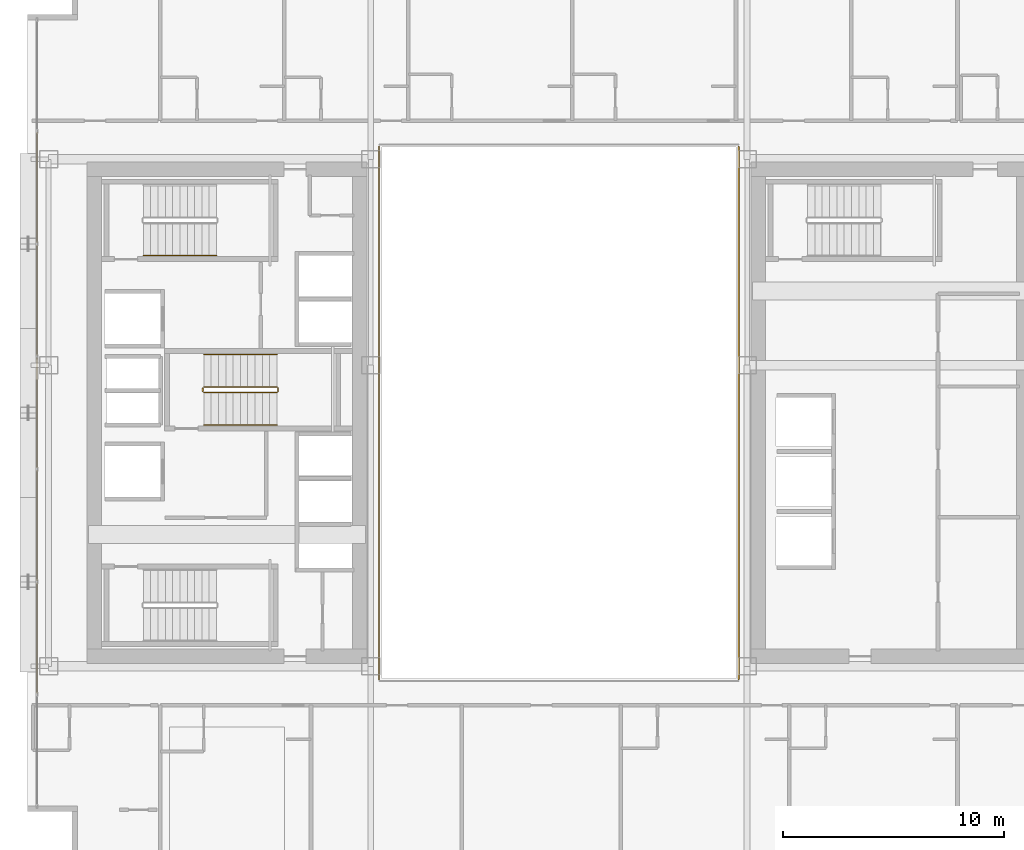
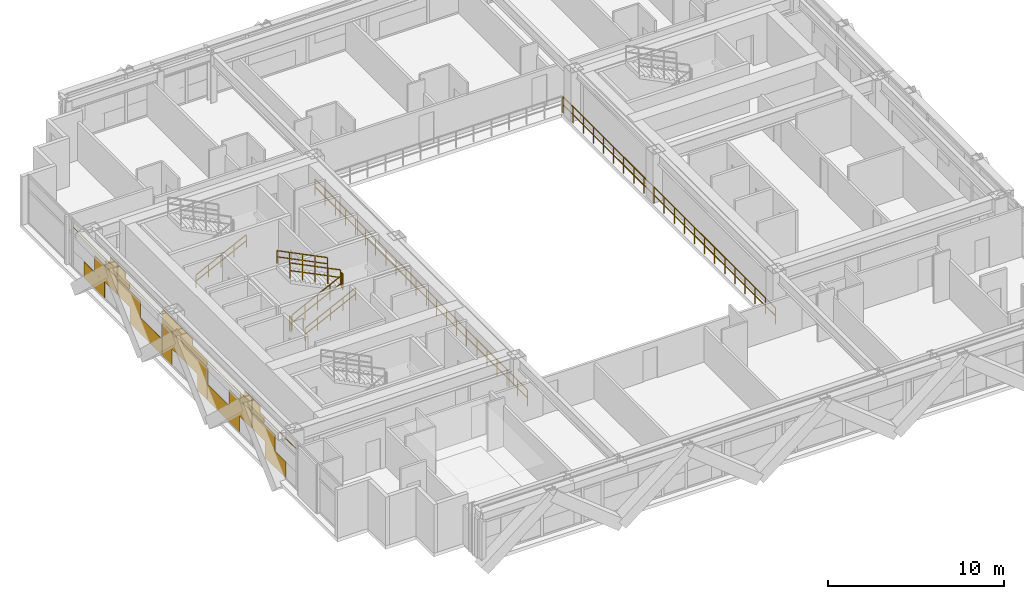
# One storey, part 33 of 35: 9 railings, 1 covering.
"""IFC4 building model written with IfcOpenShell, lengths in metres."""

import ifcopenshell
import ifcopenshell.guid

model = None  # the IFC model being written
_history = None  # IfcOwnerHistory: only IFC2X3 demands one
_inside = {}  # id of a spatial element -> (the spatial element, [elements in it])
_under = {}  # id of a project, library or spatial element -> (it, [spatial elements below it])
_declared = {}  # id of a project -> (the project, [libraries it declares])
_typed = {}  # id of a type object -> (the type object, [elements of that type])
_made_of = {}  # id of a material, layer set ... -> (it, [elements and type objects made of it])


def new_model(schema):
    """Start an empty IFC model of exactly this schema.

    Asked for "IFC4X3", IfcOpenShell would pick the latest addendum, in which some entities
    have other attributes; the version numbers below select the first issue.
    IFC2X3 requires an IfcOwnerHistory on every rooted entity: one is made here for all.
    """
    global model, _history
    if schema == "IFC4X3":
        model = ifcopenshell.file(schema_version=(4, 3, 0, 0))
    else:
        model = ifcopenshell.file(schema=schema)
    _inside.clear()
    _under.clear()
    _declared.clear()
    _typed.clear()
    _made_of.clear()
    _history = None
    if model.schema == "IFC2X3":
        org = make("IfcOrganization", Name="unknown")
        user = make(
            "IfcPersonAndOrganization",
            ThePerson=make("IfcPerson", FamilyName="unknown"),
            TheOrganization=org,
        )
        app = make(
            "IfcApplication",
            ApplicationDeveloper=org,
            Version="unknown",
            ApplicationFullName="unknown",
            ApplicationIdentifier="unknown",
        )
        _history = make(
            "IfcOwnerHistory",
            OwningUser=user,
            OwningApplication=app,
            ChangeAction="ADDED",
            CreationDate=0,
        )
    return model


def make(cls, **values):
    """One entity of the class cls with the attributes given. An attribute that is None is left unset."""
    return model.create_entity(
        cls, **{name: value for name, value in values.items() if value is not None}
    )


def rooted(cls, **values):
    """An entity with a GlobalId (a new one), such as an element, a storey or a relation."""
    return make(cls, GlobalId=ifcopenshell.guid.new(), OwnerHistory=_history, **values)


def si_unit(unit_type, name, prefix=None):
    """IfcSIUnit, for example si_unit("LENGTHUNIT", "METRE", prefix="MILLI")."""
    return make("IfcSIUnit", UnitType=unit_type, Prefix=prefix, Name=name)


def assignment(units):
    """IfcUnitAssignment: the units of a project."""
    return None if units is None else make("IfcUnitAssignment", Units=units)


def point(xyz):
    """IfcCartesianPoint."""
    return None if xyz is None else make("IfcCartesianPoint", Coordinates=xyz)


def direction(xyz):
    """IfcDirection."""
    return None if xyz is None else make("IfcDirection", DirectionRatios=xyz)


def frame(location, z_axis=None, x_axis=None):
    """IfcAxis2Placement3D, a coordinate frame: its origin and axes. An axis left out is left unset."""
    return make(
        "IfcAxis2Placement3D",
        Location=point(location),
        Axis=direction(z_axis),
        RefDirection=direction(x_axis),
    )


def frame_2d(location, x_axis=None):
    """IfcAxis2Placement2D, a coordinate frame in the plane: its origin and x axis."""
    return make(
        "IfcAxis2Placement2D", Location=point(location), RefDirection=direction(x_axis)
    )


def origin():
    """The frame at (0, 0, 0) with its axes left unset."""
    return frame((0.0, 0.0, 0.0))


def origin_2d():
    """The frame at (0, 0) in the plane with its x axis left unset."""
    return frame_2d((0.0, 0.0))


def place(relative_to, where):
    """IfcLocalPlacement: puts the frame where relative to a parent placement (None: the world)."""
    return make(
        "IfcLocalPlacement", PlacementRelTo=relative_to, RelativePlacement=where
    )


def context(
    kind, dimensions, precision=None, world=None, true_north=None, identifier=None
):
    """IfcGeometricRepresentationContext, for example the 3D "Model" context."""
    return make(
        "IfcGeometricRepresentationContext",
        ContextIdentifier=identifier,
        ContextType=kind,
        CoordinateSpaceDimension=dimensions,
        Precision=precision,
        WorldCoordinateSystem=world,
        TrueNorth=true_north,
    )


def subcontext(parent, identifier, kind, view, scale=None):
    """IfcGeometricRepresentationSubContext, for example "Body" below "Model"."""
    return make(
        "IfcGeometricRepresentationSubContext",
        ContextIdentifier=identifier,
        ContextType=kind,
        ParentContext=parent,
        TargetScale=scale,
        TargetView=view,
    )


def project(units=None, contexts=None):
    """IfcProject with its units and contexts."""
    return rooted(
        "IfcProject",
        Name="project",
        RepresentationContexts=contexts,
        UnitsInContext=assignment(units),
    )


def spatial(cls, under=None, at=None, **own):
    """A site, building, storey or space (cls), placed at a placement, below another one or the project."""
    s = rooted(cls, ObjectPlacement=at, **own)
    if under is not None:
        _under.setdefault(under.id(), (under, []))[1].append(s)
    return s


def profile(cls, at=None, kind="AREA", **sizes):
    """A parametric profile (cls). Its sizes go by their IFC names, for example OverallWidth=200.0."""
    return make(cls, ProfileType=kind, Position=at, **sizes)


def rectangle(**sizes):
    """IfcRectangleProfileDef."""
    return profile("IfcRectangleProfileDef", **sizes)


def extrude(swept, where, along, depth):
    """IfcExtrudedAreaSolid: the profile swept, set in the frame where, extruded along a direction by depth."""
    return make(
        "IfcExtrudedAreaSolid",
        SweptArea=swept,
        Position=where,
        ExtrudedDirection=direction(along),
        Depth=depth,
    )


def shape(context_of_items, identifier, shape_type, items):
    """IfcShapeRepresentation: the items that make up one representation, for example the "Body"."""
    return make(
        "IfcShapeRepresentation",
        ContextOfItems=context_of_items,
        RepresentationIdentifier=identifier,
        RepresentationType=shape_type,
        Items=items,
    )


def material(Name=None, Category=None):
    """IfcMaterial."""
    return make("IfcMaterial", Name=Name, Category=Category)


def layer(
    of_material, thickness, ventilated=None, Name=None, Category=None, Priority=None
):
    """IfcMaterialLayer: one layer of a wall or slab, of a material (None: an air gap)."""
    return make(
        "IfcMaterialLayer",
        Material=of_material,
        LayerThickness=thickness,
        IsVentilated=ventilated,
        Name=Name,
        Category=Category,
        Priority=Priority,
    )


def layer_set(layers, Name=None):
    """IfcMaterialLayerSet."""
    return make("IfcMaterialLayerSet", MaterialLayers=layers, LayerSetName=Name)


def made_of(thing, what):
    """Note that an element or type object is made of a material, layer set ...; save() writes the relation."""
    if what is not None:
        _made_of.setdefault(what.id(), (what, []))[1].append(thing)
    return thing


def type_object(cls, material=None, **own):
    """A type object (cls), such as IfcWallType, which elements share."""
    return made_of(rooted(cls, **own), material)


def element(
    cls,
    number,
    at=None,
    inside=None,
    cuts=None,
    type_object=None,
    material=None,
    context=None,
    identifier="Body",
    shape_type=None,
    held_by="IfcProductDefinitionShape",
    body=None,
    shapes=None,
    **own,
):
    """One element of the class cls, such as IfcWall. Its Tag is "e" and its number.

    at: its placement. inside: the storey or other place that contains it. cuts: it is an
    opening in that element (IfcRelVoidsElement). A single representation is given by context,
    identifier, shape_type and body (its items); several are given by shapes. held_by: the class
    of the entity that holds the representations. save() writes the other relations.
    """
    e = rooted(cls, Tag="e%d" % number, ObjectPlacement=at, **own)
    if body is not None:
        shapes = [shape(context, identifier, shape_type, body)]
    if shapes is not None:
        e.Representation = make(held_by, Representations=shapes)
    if inside is not None:
        _inside.setdefault(inside.id(), (inside, []))[1].append(e)
    if cuts is not None:
        rooted(
            "IfcRelVoidsElement", RelatingBuildingElement=cuts, RelatedOpeningElement=e
        )
    if type_object is not None:
        _typed.setdefault(type_object.id(), (type_object, []))[1].append(e)
    return made_of(e, material)


def aggregate(whole, parts):
    """IfcRelAggregates: a whole, such as a stair, and the parts it consists of."""
    return rooted("IfcRelAggregates", RelatingObject=whole, RelatedObjects=parts)


def save(model, path):
    """Write the relations noted so far, then the file.

    IfcRelAggregates (storeys below a building ...), IfcRelContainedInSpatialStructure (elements
    in a storey), IfcRelDefinesByType, IfcRelAssociatesMaterial and IfcRelDeclares: one each for
    every whole, place, type object, material and project.
    """
    for whole, parts in _under.values():
        aggregate(whole, parts)
    for where, things in _inside.values():
        rooted(
            "IfcRelContainedInSpatialStructure",
            RelatedElements=things,
            RelatingStructure=where,
        )
    for kind, things in _typed.values():
        rooted("IfcRelDefinesByType", RelatedObjects=things, RelatingType=kind)
    for what, things in _made_of.values():
        rooted("IfcRelAssociatesMaterial", RelatedObjects=things, RelatingMaterial=what)
    for by, libraries in _declared.values():
        rooted("IfcRelDeclares", RelatingContext=by, RelatedDefinitions=libraries)
    model.write(path)


model = new_model("IFC4")

# Units and contexts
model_context = context("Model", 3, precision=1e-05, world=origin(), true_north=direction((0.0, 1.0)))
body_context = subcontext(model_context, "Body", "Model", "MODEL_VIEW")
ifc_project = project(units=[si_unit("LENGTHUNIT", "METRE"), si_unit("AREAUNIT", "SQUARE_METRE"), si_unit("VOLUMEUNIT", "CUBIC_METRE"), si_unit("PLANEANGLEUNIT", "RADIAN"), si_unit("MASSUNIT", "GRAM", prefix="KILO")], contexts=[model_context])

# Site, building, storey
site_placement = place(None, origin())
site = spatial("IfcSite", under=ifc_project, at=site_placement, CompositionType="ELEMENT")
building_placement = place(site_placement, origin())
building = spatial("IfcBuilding", under=site, at=building_placement, Name="Ocotamira Hotel", CompositionType="ELEMENT")
storey_placement = place(building_placement, frame((0.0, 0.0, 140.39990234375)))
storey = spatial("IfcBuildingStorey", under=building, at=storey_placement, Name="L35", CompositionType="ELEMENT", Elevation=140.39990234375)

# Covering
ifc_material_1 = material(Name="Insulated pale-metal aluminium spandrel panel", Category="aluminium")
ifc_layer = layer(ifc_material_1, 0.044921875)
ifc_layer_set = layer_set([ifc_layer], Name="Insulated pale-metal aluminium spandrel panel")
covering_type = type_object("IfcCoveringType", Name="COV-INFILL-45", PredefinedType="CLADDING", material=ifc_layer_set)
covering_placement = place(storey_placement, origin())
element("IfcCovering", 1, at=covering_placement, inside=storey, type_object=covering_type, Name="L35 Curtain Wall Infill CW-3 CW-L35-W", PredefinedType="CLADDING", context=body_context, shape_type="SweptSolid", body=[
    extrude(rectangle(XDim=2.35107421875, YDim=0.044921875, at=origin_2d()), frame((8.419921875, 15.741943359375, 0.07568359375), z_axis=(0.0, 0.0, 1.0), x_axis=(0.0, 1.0, 0.0)), (0.0, 0.0, 1.0), 1.117919921875),
    extrude(rectangle(XDim=2.578369140625, YDim=0.044921875, at=origin_2d()), frame((8.419921875, 17.041748046875, 1.1943359375), z_axis=(0.0, 0.0, 1.0), x_axis=(0.0, 1.0, 0.0)), (0.0, 0.0, 1.0), 1.117919921875),
    extrude(rectangle(XDim=5.004638671875, YDim=0.044921875, at=origin_2d()), frame((8.419921875, 15.82861328125, 2.802490234375), z_axis=(0.0, 0.0, 1.0), x_axis=(0.0, 1.0, 0.0)), (0.0, 0.0, 1.0), 0.033203125),
    extrude(rectangle(XDim=1.312744140625, YDim=0.044921875, at=origin_2d()), frame((8.419921875, 17.674560546875, 2.38818359375), z_axis=(0.0, 0.0, 1.0), x_axis=(0.0, 1.0, 0.0)), (0.0, 0.0, 1.0), 0.413330078125),
    extrude(rectangle(XDim=0.837158203125, YDim=0.044921875, at=origin_2d()), frame((8.419921875, 17.912353515625, 2.8369140625), z_axis=(0.0, 0.0, 1.0), x_axis=(0.0, 1.0, 0.0)), (0.0, 0.0, 1.0), 0.44775390625),
    extrude(rectangle(XDim=2.568603515625, YDim=0.044921875, at=origin_2d()), frame((8.419921875, 19.6962890625, 1.1943359375), z_axis=(0.0, 0.0, 1.0), x_axis=(0.0, 1.0, 0.0)), (0.0, 0.0, 1.0), 1.117919921875),
    extrude(rectangle(XDim=3.600830078125, YDim=0.044921875, at=origin_2d()), frame((8.419921875, 21.6162109375, 0.07568359375), z_axis=(0.0, 0.0, 1.0), x_axis=(0.0, 1.0, 0.0)), (0.0, 0.0, 1.0), 1.117919921875),
    extrude(rectangle(XDim=0.03076171875, YDim=0.044921875, at=origin_2d()), frame((8.419921875, 23.4013671875, 1.1943359375), z_axis=(0.0, 0.0, 1.0), x_axis=(0.0, 1.0, 0.0)), (0.0, 0.0, 1.0), 1.117919921875),
    extrude(rectangle(XDim=1.302978515625, YDim=0.044921875, at=origin_2d()), frame((8.419921875, 19.0634765625, 2.38818359375), z_axis=(0.0, 0.0, 1.0), x_axis=(0.0, 1.0, 0.0)), (0.0, 0.0, 1.0), 0.413330078125),
    extrude(rectangle(XDim=5.004638671875, YDim=0.044921875, at=origin_2d()), frame((8.419921875, 20.914306640625, 2.802490234375), z_axis=(0.0, 0.0, 1.0), x_axis=(0.0, 1.0, 0.0)), (0.0, 0.0, 1.0), 0.033203125),
    extrude(rectangle(XDim=0.827392578125, YDim=0.044921875, at=origin_2d()), frame((8.419921875, 18.82568359375, 2.8369140625), z_axis=(0.0, 0.0, 1.0), x_axis=(0.0, 1.0, 0.0)), (0.0, 0.0, 1.0), 0.44775390625),
    extrude(rectangle(XDim=1.05322265625, YDim=0.044921875, at=origin_2d()), frame((8.419921875, 24.0244140625, 0.07568359375), z_axis=(0.0, 0.0, 1.0), x_axis=(0.0, 1.0, 0.0)), (0.0, 0.0, 1.0), 1.117919921875),
    extrude(rectangle(XDim=5.004638671875, YDim=0.044921875, at=origin_2d()), frame((8.419921875, 26.0, 1.1943359375), z_axis=(0.0, 0.0, 1.0), x_axis=(0.0, 1.0, 0.0)), (0.0, 0.0, 1.0), 1.117919921875),
    extrude(rectangle(XDim=1.05322265625, YDim=0.044921875, at=origin_2d()), frame((8.419921875, 27.9755859375, 0.07568359375), z_axis=(0.0, 0.0, 1.0), x_axis=(0.0, 1.0, 0.0)), (0.0, 0.0, 1.0), 1.117919921875),
    extrude(rectangle(XDim=5.004638671875, YDim=0.044921875, at=origin_2d()), frame((8.419921875, 26.0, 2.387939453125), z_axis=(0.0, 0.0, 1.0), x_axis=(0.0, 1.0, 0.0)), (0.0, 0.0, 1.0), 0.44775390625),
    extrude(rectangle(XDim=3.375, YDim=0.044921875, at=origin_2d()), frame((8.419921875, 26.814697265625, 2.8369140625), z_axis=(0.0, 0.0, 1.0), x_axis=(0.0, 1.0, 0.0)), (0.0, 0.0, 1.0), 0.44775390625),
    extrude(rectangle(XDim=3.600830078125, YDim=0.044921875, at=origin_2d()), frame((8.419921875, 30.3837890625, 0.07568359375), z_axis=(0.0, 0.0, 1.0), x_axis=(0.0, 1.0, 0.0)), (0.0, 0.0, 1.0), 1.117919921875),
    extrude(rectangle(XDim=0.03076171875, YDim=0.044921875, at=origin_2d()), frame((8.419921875, 28.5986328125, 1.1943359375), z_axis=(0.0, 0.0, 1.0), x_axis=(0.0, 1.0, 0.0)), (0.0, 0.0, 1.0), 1.117919921875),
    extrude(rectangle(XDim=2.568603515625, YDim=0.044921875, at=origin_2d()), frame((8.419921875, 32.3037109375, 1.1943359375), z_axis=(0.0, 0.0, 1.0), x_axis=(0.0, 1.0, 0.0)), (0.0, 0.0, 1.0), 1.117919921875),
    extrude(rectangle(XDim=5.004638671875, YDim=0.044921875, at=origin_2d()), frame((8.419921875, 31.085693359375, 2.802490234375), z_axis=(0.0, 0.0, 1.0), x_axis=(0.0, 1.0, 0.0)), (0.0, 0.0, 1.0), 0.033203125),
    extrude(rectangle(XDim=1.302978515625, YDim=0.044921875, at=origin_2d()), frame((8.419921875, 32.9365234375, 2.38818359375), z_axis=(0.0, 0.0, 1.0), x_axis=(0.0, 1.0, 0.0)), (0.0, 0.0, 1.0), 0.413330078125),
    extrude(rectangle(XDim=0.827392578125, YDim=0.044921875, at=origin_2d()), frame((8.419921875, 33.17431640625, 2.8369140625), z_axis=(0.0, 0.0, 1.0), x_axis=(0.0, 1.0, 0.0)), (0.0, 0.0, 1.0), 0.44775390625),
    extrude(rectangle(XDim=2.578369140625, YDim=0.044921875, at=origin_2d()), frame((8.419921875, 34.958251953125, 1.1943359375), z_axis=(0.0, 0.0, 1.0), x_axis=(0.0, 1.0, 0.0)), (0.0, 0.0, 1.0), 1.117919921875),
    extrude(rectangle(XDim=2.35107421875, YDim=0.044921875, at=origin_2d()), frame((8.419921875, 36.258056640625, 0.07568359375), z_axis=(0.0, 0.0, 1.0), x_axis=(0.0, 1.0, 0.0)), (0.0, 0.0, 1.0), 1.117919921875),
    extrude(rectangle(XDim=1.312744140625, YDim=0.044921875, at=origin_2d()), frame((8.419921875, 34.325439453125, 2.38818359375), z_axis=(0.0, 0.0, 1.0), x_axis=(0.0, 1.0, 0.0)), (0.0, 0.0, 1.0), 0.413330078125),
    extrude(rectangle(XDim=5.004638671875, YDim=0.044921875, at=origin_2d()), frame((8.419921875, 36.17138671875, 2.802490234375), z_axis=(0.0, 0.0, 1.0), x_axis=(0.0, 1.0, 0.0)), (0.0, 0.0, 1.0), 0.033203125),
    extrude(rectangle(XDim=0.837158203125, YDim=0.044921875, at=origin_2d()), frame((8.419921875, 34.087646484375, 2.8369140625), z_axis=(0.0, 0.0, 1.0), x_axis=(0.0, 1.0, 0.0)), (0.0, 0.0, 1.0), 0.44775390625),
])

# Railings
ifc_material_2 = material(Name="Painted steel stair guardrail", Category="steel")
railing_type_1 = type_object("IfcRailingType", Name="RL-EDGE-1150", PredefinedType="GUARDRAIL", material=ifc_material_2)
railing_1_placement = place(storey_placement, frame((40.1201171875, 13.9599609375, 0.0)))
element("IfcRailing", 2, at=railing_1_placement, inside=storey, type_object=railing_type_1, Name="L35 Central Atrium Edge Guardrail E", PredefinedType="GUARDRAIL", context=body_context, shape_type="SweptSolid", body=[
    extrude(rectangle(XDim=0.048095703125, YDim=0.048095703125, at=origin_2d()), frame((0.0, 0.0, 1.1259765625), z_axis=(0.0, 1.0, 0.0), x_axis=(-1.0, 0.0, 0.0)), (0.0, 0.0, 1.0), 24.080078125),
    extrude(rectangle(XDim=0.048095703125, YDim=0.048095703125, at=origin_2d()), frame((0.0, 0.0, 0.574951171875), z_axis=(0.0, 1.0, 0.0), x_axis=(-1.0, 0.0, 0.0)), (0.0, 0.0, 1.0), 24.080078125),
    extrude(rectangle(XDim=0.0419921875, YDim=0.0419921875, at=origin_2d()), origin(), (0.0, 0.0, 1.0), 1.101806640625),
    extrude(rectangle(XDim=0.0419921875, YDim=0.0419921875, at=origin_2d()), frame((0.0, 1.146728515625, 0.0)), (0.0, 0.0, 1.0), 1.101806640625),
    extrude(rectangle(XDim=0.0419921875, YDim=0.0419921875, at=origin_2d()), frame((0.0, 2.29345703125, 0.0)), (0.0, 0.0, 1.0), 1.101806640625),
    extrude(rectangle(XDim=0.0419921875, YDim=0.0419921875, at=origin_2d()), frame((0.0, 3.43994140625, 0.0)), (0.0, 0.0, 1.0), 1.101806640625),
    extrude(rectangle(XDim=0.0419921875, YDim=0.0419921875, at=origin_2d()), frame((0.0, 4.586669921875, 0.0)), (0.0, 0.0, 1.0), 1.101806640625),
    extrude(rectangle(XDim=0.0419921875, YDim=0.0419921875, at=origin_2d()), frame((0.0, 5.7333984375, 0.0)), (0.0, 0.0, 1.0), 1.101806640625),
    extrude(rectangle(XDim=0.0419921875, YDim=0.0419921875, at=origin_2d()), frame((0.0, 6.880126953125, 0.0)), (0.0, 0.0, 1.0), 1.101806640625),
    extrude(rectangle(XDim=0.0419921875, YDim=0.0419921875, at=origin_2d()), frame((0.0, 8.026611328125, 0.0)), (0.0, 0.0, 1.0), 1.101806640625),
    extrude(rectangle(XDim=0.0419921875, YDim=0.0419921875, at=origin_2d()), frame((0.0, 9.17333984375, 0.0)), (0.0, 0.0, 1.0), 1.101806640625),
    extrude(rectangle(XDim=0.0419921875, YDim=0.0419921875, at=origin_2d()), frame((0.0, 10.320068359375, 0.0)), (0.0, 0.0, 1.0), 1.101806640625),
    extrude(rectangle(XDim=0.0419921875, YDim=0.0419921875, at=origin_2d()), frame((0.0, 11.466796875, 0.0)), (0.0, 0.0, 1.0), 1.101806640625),
    extrude(rectangle(XDim=0.0419921875, YDim=0.0419921875, at=origin_2d()), frame((0.0, 12.61328125, 0.0)), (0.0, 0.0, 1.0), 1.101806640625),
    extrude(rectangle(XDim=0.0419921875, YDim=0.0419921875, at=origin_2d()), frame((0.0, 13.760009765625, 0.0)), (0.0, 0.0, 1.0), 1.101806640625),
    extrude(rectangle(XDim=0.0419921875, YDim=0.0419921875, at=origin_2d()), frame((0.0, 14.90673828125, 0.0)), (0.0, 0.0, 1.0), 1.101806640625),
    extrude(rectangle(XDim=0.0419921875, YDim=0.0419921875, at=origin_2d()), frame((0.0, 16.053466796875, 0.0)), (0.0, 0.0, 1.0), 1.101806640625),
    extrude(rectangle(XDim=0.0419921875, YDim=0.0419921875, at=origin_2d()), frame((0.0, 17.199951171875, 0.0)), (0.0, 0.0, 1.0), 1.101806640625),
    extrude(rectangle(XDim=0.0419921875, YDim=0.0419921875, at=origin_2d()), frame((0.0, 18.3466796875, 0.0)), (0.0, 0.0, 1.0), 1.101806640625),
    extrude(rectangle(XDim=0.0419921875, YDim=0.0419921875, at=origin_2d()), frame((0.0, 19.493408203125, 0.0)), (0.0, 0.0, 1.0), 1.101806640625),
    extrude(rectangle(XDim=0.0419921875, YDim=0.0419921875, at=origin_2d()), frame((0.0, 20.64013671875, 0.0)), (0.0, 0.0, 1.0), 1.101806640625),
    extrude(rectangle(XDim=0.0419921875, YDim=0.0419921875, at=origin_2d()), frame((0.0, 21.78662109375, 0.0)), (0.0, 0.0, 1.0), 1.101806640625),
    extrude(rectangle(XDim=0.0419921875, YDim=0.0419921875, at=origin_2d()), frame((0.0, 22.933349609375, 0.0)), (0.0, 0.0, 1.0), 1.101806640625),
    extrude(rectangle(XDim=0.0419921875, YDim=0.0419921875, at=origin_2d()), frame((0.0, 24.080078125, 0.0)), (0.0, 0.0, 1.0), 1.101806640625),
])
railing_2_placement = place(storey_placement, frame((23.8798828125, 38.0400390625, 0.0)))
element("IfcRailing", 3, at=railing_2_placement, inside=storey, type_object=railing_type_1, Name="L35 Central Atrium Edge Guardrail W", PredefinedType="GUARDRAIL", context=body_context, shape_type="SweptSolid", body=[
    extrude(rectangle(XDim=0.048095703125, YDim=0.048095703125, at=origin_2d()), frame((0.0, 0.0, 1.1259765625), z_axis=(0.0, -1.0, 0.0), x_axis=(1.0, 0.0, 0.0)), (0.0, 0.0, 1.0), 24.080078125),
    extrude(rectangle(XDim=0.048095703125, YDim=0.048095703125, at=origin_2d()), frame((0.0, 0.0, 0.574951171875), z_axis=(0.0, -1.0, 0.0), x_axis=(1.0, 0.0, 0.0)), (0.0, 0.0, 1.0), 24.080078125),
    extrude(rectangle(XDim=0.0419921875, YDim=0.0419921875, at=origin_2d()), origin(), (0.0, 0.0, 1.0), 1.101806640625),
    extrude(rectangle(XDim=0.0419921875, YDim=0.0419921875, at=origin_2d()), frame((0.0, -1.146728515625, 0.0)), (0.0, 0.0, 1.0), 1.101806640625),
    extrude(rectangle(XDim=0.0419921875, YDim=0.0419921875, at=origin_2d()), frame((0.0, -2.29345703125, 0.0)), (0.0, 0.0, 1.0), 1.101806640625),
    extrude(rectangle(XDim=0.0419921875, YDim=0.0419921875, at=origin_2d()), frame((0.0, -3.43994140625, 0.0)), (0.0, 0.0, 1.0), 1.101806640625),
    extrude(rectangle(XDim=0.0419921875, YDim=0.0419921875, at=origin_2d()), frame((0.0, -4.586669921875, 0.0)), (0.0, 0.0, 1.0), 1.101806640625),
    extrude(rectangle(XDim=0.0419921875, YDim=0.0419921875, at=origin_2d()), frame((0.0, -5.7333984375, 0.0)), (0.0, 0.0, 1.0), 1.101806640625),
    extrude(rectangle(XDim=0.0419921875, YDim=0.0419921875, at=origin_2d()), frame((0.0, -6.880126953125, 0.0)), (0.0, 0.0, 1.0), 1.101806640625),
    extrude(rectangle(XDim=0.0419921875, YDim=0.0419921875, at=origin_2d()), frame((0.0, -8.026611328125, 0.0)), (0.0, 0.0, 1.0), 1.101806640625),
    extrude(rectangle(XDim=0.0419921875, YDim=0.0419921875, at=origin_2d()), frame((0.0, -9.17333984375, 0.0)), (0.0, 0.0, 1.0), 1.101806640625),
    extrude(rectangle(XDim=0.0419921875, YDim=0.0419921875, at=origin_2d()), frame((0.0, -10.320068359375, 0.0)), (0.0, 0.0, 1.0), 1.101806640625),
    extrude(rectangle(XDim=0.0419921875, YDim=0.0419921875, at=origin_2d()), frame((0.0, -11.466796875, 0.0)), (0.0, 0.0, 1.0), 1.101806640625),
    extrude(rectangle(XDim=0.0419921875, YDim=0.0419921875, at=origin_2d()), frame((0.0, -12.61328125, 0.0)), (0.0, 0.0, 1.0), 1.101806640625),
    extrude(rectangle(XDim=0.0419921875, YDim=0.0419921875, at=origin_2d()), frame((0.0, -13.760009765625, 0.0)), (0.0, 0.0, 1.0), 1.101806640625),
    extrude(rectangle(XDim=0.0419921875, YDim=0.0419921875, at=origin_2d()), frame((0.0, -14.90673828125, 0.0)), (0.0, 0.0, 1.0), 1.101806640625),
    extrude(rectangle(XDim=0.0419921875, YDim=0.0419921875, at=origin_2d()), frame((0.0, -16.053466796875, 0.0)), (0.0, 0.0, 1.0), 1.101806640625),
    extrude(rectangle(XDim=0.0419921875, YDim=0.0419921875, at=origin_2d()), frame((0.0, -17.199951171875, 0.0)), (0.0, 0.0, 1.0), 1.101806640625),
    extrude(rectangle(XDim=0.0419921875, YDim=0.0419921875, at=origin_2d()), frame((0.0, -18.3466796875, 0.0)), (0.0, 0.0, 1.0), 1.101806640625),
    extrude(rectangle(XDim=0.0419921875, YDim=0.0419921875, at=origin_2d()), frame((0.0, -19.493408203125, 0.0)), (0.0, 0.0, 1.0), 1.101806640625),
    extrude(rectangle(XDim=0.0419921875, YDim=0.0419921875, at=origin_2d()), frame((0.0, -20.64013671875, 0.0)), (0.0, 0.0, 1.0), 1.101806640625),
    extrude(rectangle(XDim=0.0419921875, YDim=0.0419921875, at=origin_2d()), frame((0.0, -21.78662109375, 0.0)), (0.0, 0.0, 1.0), 1.101806640625),
    extrude(rectangle(XDim=0.0419921875, YDim=0.0419921875, at=origin_2d()), frame((0.0, -22.933349609375, 0.0)), (0.0, 0.0, 1.0), 1.101806640625),
    extrude(rectangle(XDim=0.0419921875, YDim=0.0419921875, at=origin_2d()), frame((0.0, -24.080078125, 0.0)), (0.0, 0.0, 1.0), 1.101806640625),
])
ifc_material_3 = material(Name="Brushed stainless steel handrail", Category="steel")
railing_type_2 = type_object("IfcRailingType", Name="RL-HAND-900", PredefinedType="HANDRAIL", material=ifc_material_3)
for number, where, name in (
    (4, (13.22998046875, 33.10009765625, 0.327392578125), "L35 ST-2 stair handrail 1"),
    (5, (15.9599609375, 25.449951171875, 0.327392578125), "L35 ST-3 stair handrail 1"),
):
    element("IfcRailing", number, at=place(storey_placement, frame(where)), inside=storey, type_object=railing_type_2, Name=name, PredefinedType="HANDRAIL", context=body_context, shape_type="SweptSolid", body=[
        extrude(rectangle(XDim=0.048095703125, YDim=0.048095703125, at=origin_2d()), frame((0.0, 0.0, 0.8759765625), z_axis=(0.895920123917, 0.0, 0.444215186098), x_axis=(0.0, 1.0, 0.0)), (0.0, 0.0, 1.0), 3.683349609375),
        extrude(rectangle(XDim=0.048095703125, YDim=0.048095703125, at=origin_2d()), frame((0.0, 0.0, 0.449951171875), z_axis=(0.895920123917, 0.0, 0.444215186098), x_axis=(0.0, 1.0, 0.0)), (0.0, 0.0, 1.0), 3.683349609375),
        extrude(rectangle(XDim=0.0419921875, YDim=0.0419921875, at=origin_2d()), origin(), (0.0, 0.0, 1.0), 0.851806640625),
        extrude(rectangle(XDim=0.0419921875, YDim=0.0419921875, at=origin_2d()), frame((0.824951171875, 0.0, 0.4091796875)), (0.0, 0.0, 1.0), 0.851806640625),
        extrude(rectangle(XDim=0.0419921875, YDim=0.0419921875, at=origin_2d()), frame((1.64990234375, 0.0, 0.818115234375)), (0.0, 0.0, 1.0), 0.851806640625),
        extrude(rectangle(XDim=0.0419921875, YDim=0.0419921875, at=origin_2d()), frame((2.47509765625, 0.0, 1.22705078125)), (0.0, 0.0, 1.0), 0.851806640625),
        extrude(rectangle(XDim=0.0419921875, YDim=0.0419921875, at=origin_2d()), frame((3.300048828125, 0.0, 1.63623046875)), (0.0, 0.0, 1.0), 0.851806640625),
    ])
railing_3_placement = place(storey_placement, frame((19.260009765625, 28.6298828125, 2.12744140625)))
element("IfcRailing", 6, at=railing_3_placement, inside=storey, type_object=railing_type_2, Name="L35 ST-3 stair handrail 2", PredefinedType="HANDRAIL", context=body_context, shape_type="SweptSolid", body=[
    extrude(rectangle(XDim=0.048095703125, YDim=0.048095703125, at=origin_2d()), frame((0.0, 0.0, 0.8759765625), z_axis=(-0.895920123917, 0.0, 0.444215186098), x_axis=(0.0, -1.0, 0.0)), (0.0, 0.0, 1.0), 3.683349609375),
    extrude(rectangle(XDim=0.048095703125, YDim=0.048095703125, at=origin_2d()), frame((0.0, 0.0, 0.449951171875), z_axis=(-0.895920123917, 0.0, 0.444215186098), x_axis=(0.0, -1.0, 0.0)), (0.0, 0.0, 1.0), 3.683349609375),
    extrude(rectangle(XDim=0.0419921875, YDim=0.0419921875, at=origin_2d()), origin(), (0.0, 0.0, 1.0), 0.851806640625),
    extrude(rectangle(XDim=0.0419921875, YDim=0.0419921875, at=origin_2d()), frame((-0.824951171875, 0.0, 0.4091796875)), (0.0, 0.0, 1.0), 0.851806640625),
    extrude(rectangle(XDim=0.0419921875, YDim=0.0419921875, at=origin_2d()), frame((-1.64990234375, 0.0, 0.818115234375)), (0.0, 0.0, 1.0), 0.851806640625),
    extrude(rectangle(XDim=0.0419921875, YDim=0.0419921875, at=origin_2d()), frame((-2.47509765625, 0.0, 1.22705078125)), (0.0, 0.0, 1.0), 0.851806640625),
    extrude(rectangle(XDim=0.0419921875, YDim=0.0419921875, at=origin_2d()), frame((-3.300048828125, 0.0, 1.63623046875)), (0.0, 0.0, 1.0), 0.851806640625),
])
railing_type_3 = type_object("IfcRailingType", Name="RL-STAIR-1100", PredefinedType="GUARDRAIL", material=ifc_material_2)
railing_4_placement = place(storey_placement, frame((15.9599609375, 26.909912109375, 0.163818359375)))
element("IfcRailing", 7, at=railing_4_placement, inside=storey, type_object=railing_type_3, Name="L35 ST-3 stair guard 1", PredefinedType="GUARDRAIL", context=body_context, shape_type="SweptSolid", body=[
    extrude(rectangle(XDim=0.048095703125, YDim=0.048095703125, at=origin_2d()), frame((0.0, 0.0, 1.076171875), z_axis=(0.895920123917, 0.0, 0.444215186098), x_axis=(0.0, 1.0, 0.0)), (0.0, 0.0, 1.0), 3.683349609375),
    extrude(rectangle(XDim=0.048095703125, YDim=0.048095703125, at=origin_2d()), frame((0.0, 0.0, 0.550048828125), z_axis=(0.895920123917, 0.0, 0.444215186098), x_axis=(0.0, 1.0, 0.0)), (0.0, 0.0, 1.0), 3.683349609375),
    extrude(rectangle(XDim=0.0419921875, YDim=0.0419921875, at=origin_2d()), origin(), (0.0, 0.0, 1.0), 1.052001953125),
    extrude(rectangle(XDim=0.0419921875, YDim=0.0419921875, at=origin_2d()), frame((0.824951171875, 0.0, 0.4091796875)), (0.0, 0.0, 1.0), 1.052001953125),
    extrude(rectangle(XDim=0.0419921875, YDim=0.0419921875, at=origin_2d()), frame((1.64990234375, 0.0, 0.818115234375)), (0.0, 0.0, 1.0), 1.052001953125),
    extrude(rectangle(XDim=0.0419921875, YDim=0.0419921875, at=origin_2d()), frame((2.47509765625, 0.0, 1.22705078125)), (0.0, 0.0, 1.0), 1.052001953125),
    extrude(rectangle(XDim=0.0419921875, YDim=0.0419921875, at=origin_2d()), frame((3.300048828125, 0.0, 1.63623046875)), (0.0, 0.0, 1.0), 1.052001953125),
])
railing_5_placement = place(storey_placement, frame((19.31005859375, 26.9599609375, 1.800048828125)))
element("IfcRailing", 8, at=railing_5_placement, inside=storey, type_object=railing_type_3, Name="L35 ST-3 stair guard 2", PredefinedType="GUARDRAIL", context=body_context, shape_type="SweptSolid", body=[
    extrude(rectangle(XDim=0.048095703125, YDim=0.048095703125, at=origin_2d()), frame((0.0, 0.0, 1.076171875), z_axis=(0.0, 1.0, 0.0), x_axis=(-1.0, 0.0, 0.0)), (0.0, 0.0, 1.0), 0.16015625),
    extrude(rectangle(XDim=0.048095703125, YDim=0.048095703125, at=origin_2d()), frame((0.0, 0.0, 0.550048828125), z_axis=(0.0, 1.0, 0.0), x_axis=(-1.0, 0.0, 0.0)), (0.0, 0.0, 1.0), 0.16015625),
    extrude(rectangle(XDim=0.0419921875, YDim=0.0419921875, at=origin_2d()), origin(), (0.0, 0.0, 1.0), 1.052001953125),
    extrude(rectangle(XDim=0.0419921875, YDim=0.0419921875, at=origin_2d()), frame((0.0, 0.16015625, 0.0)), (0.0, 0.0, 1.0), 1.052001953125),
])
railing_6_placement = place(storey_placement, frame((19.260009765625, 27.169921875, 1.963623046875)))
element("IfcRailing", 9, at=railing_6_placement, inside=storey, type_object=railing_type_3, Name="L35 ST-3 stair guard 3", PredefinedType="GUARDRAIL", context=body_context, shape_type="SweptSolid", body=[
    extrude(rectangle(XDim=0.048095703125, YDim=0.048095703125, at=origin_2d()), frame((0.0, 0.0, 1.076171875), z_axis=(-0.895893744519, 0.0, 0.4442683857), x_axis=(0.0, -1.0, 0.0)), (0.0, 0.0, 1.0), 3.68359375),
    extrude(rectangle(XDim=0.048095703125, YDim=0.048095703125, at=origin_2d()), frame((0.0, 0.0, 0.550048828125), z_axis=(-0.895893744519, 0.0, 0.4442683857), x_axis=(0.0, -1.0, 0.0)), (0.0, 0.0, 1.0), 3.68359375),
    extrude(rectangle(XDim=0.0419921875, YDim=0.0419921875, at=origin_2d()), origin(), (0.0, 0.0, 1.0), 1.052001953125),
    extrude(rectangle(XDim=0.0419921875, YDim=0.0419921875, at=origin_2d()), frame((-0.824951171875, 0.0, 0.4091796875)), (0.0, 0.0, 1.0), 1.052001953125),
    extrude(rectangle(XDim=0.0419921875, YDim=0.0419921875, at=origin_2d()), frame((-1.64990234375, 0.0, 0.818359375)), (0.0, 0.0, 1.0), 1.052001953125),
    extrude(rectangle(XDim=0.0419921875, YDim=0.0419921875, at=origin_2d()), frame((-2.47509765625, 0.0, 1.227294921875)), (0.0, 0.0, 1.0), 1.052001953125),
    extrude(rectangle(XDim=0.0419921875, YDim=0.0419921875, at=origin_2d()), frame((-3.300048828125, 0.0, 1.636474609375)), (0.0, 0.0, 1.0), 1.052001953125),
])
railing_7_placement = place(storey_placement, frame((15.909912109375, 26.9599609375, 0.0)))
element("IfcRailing", 10, at=railing_7_placement, inside=storey, type_object=railing_type_3, Name="L35 ST-3 stair guard 4", PredefinedType="GUARDRAIL", context=body_context, shape_type="SweptSolid", body=[
    extrude(rectangle(XDim=0.048095703125, YDim=0.048095703125, at=origin_2d()), frame((0.0, 0.0, 1.076171875), z_axis=(0.0, 1.0, 0.0), x_axis=(-1.0, 0.0, 0.0)), (0.0, 0.0, 1.0), 0.16015625),
    extrude(rectangle(XDim=0.048095703125, YDim=0.048095703125, at=origin_2d()), frame((0.0, 0.0, 0.550048828125), z_axis=(0.0, 1.0, 0.0), x_axis=(-1.0, 0.0, 0.0)), (0.0, 0.0, 1.0), 0.16015625),
    extrude(rectangle(XDim=0.0419921875, YDim=0.0419921875, at=origin_2d()), origin(), (0.0, 0.0, 1.0), 1.052001953125),
    extrude(rectangle(XDim=0.0419921875, YDim=0.0419921875, at=origin_2d()), frame((0.0, 0.16015625, 0.0)), (0.0, 0.0, 1.0), 1.052001953125),
])

save(model, "model.ifc")
